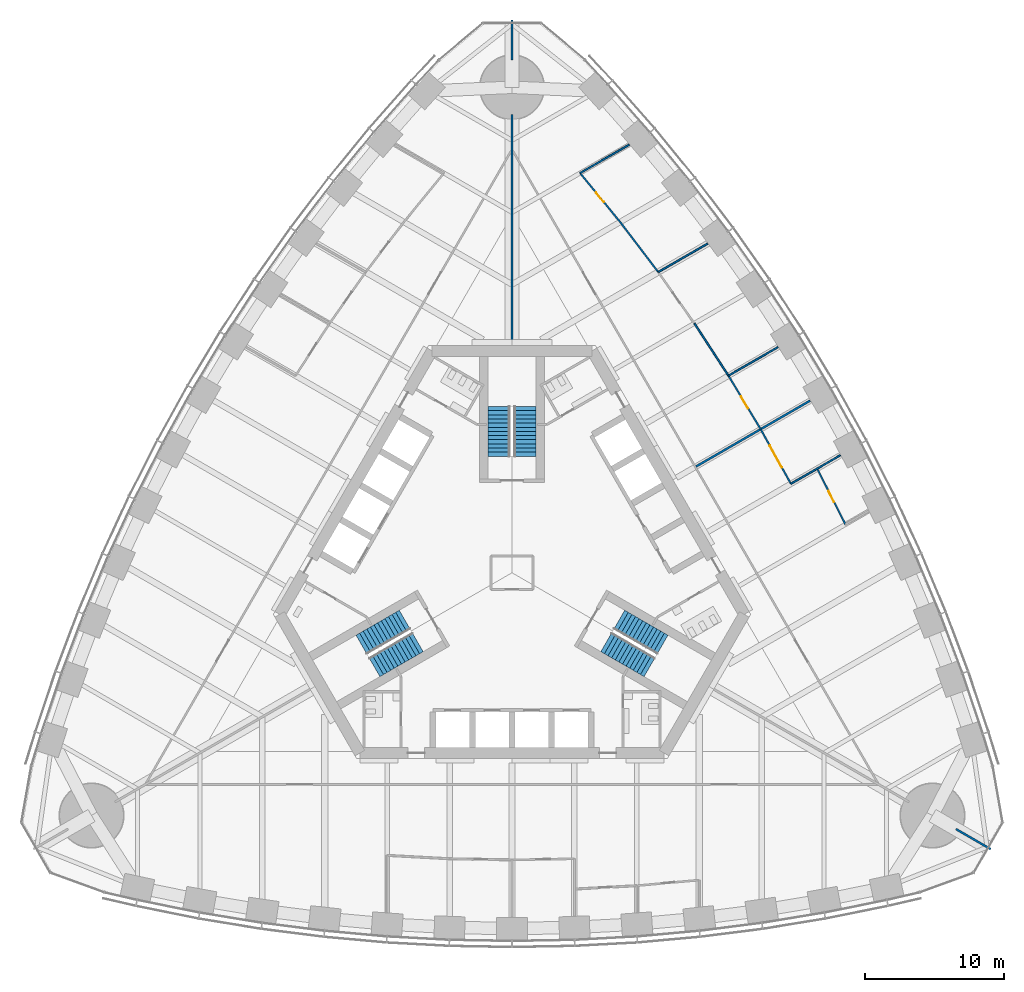
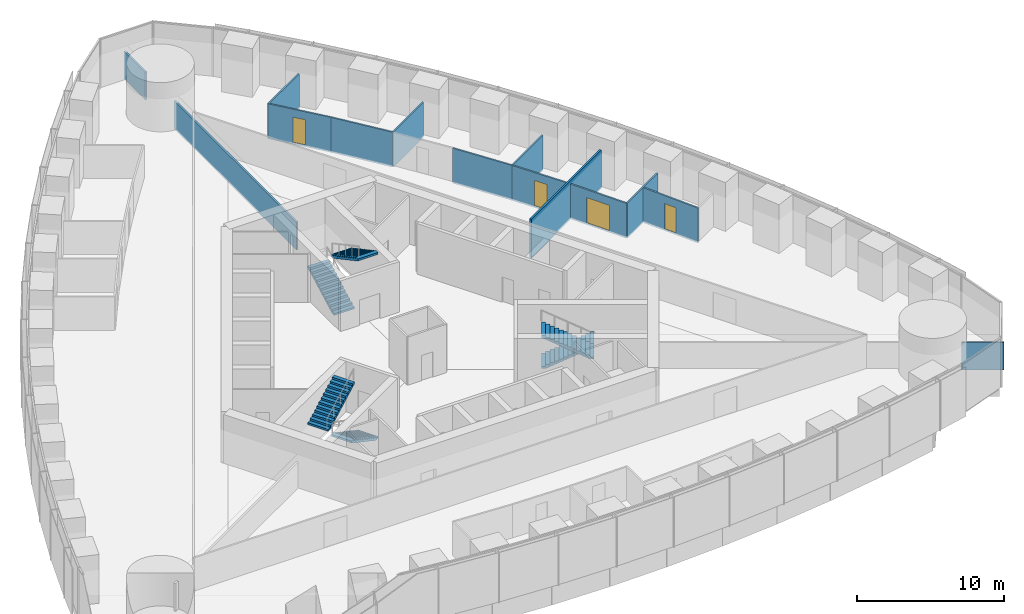
# One storey, part 13 of 18: 14 walls, 6 stair flights, 4 doors, 4 openings, 3 elements without a shape of their own.
"""IFC4 building model written with IfcOpenShell, lengths in metres."""

import ifcopenshell
import ifcopenshell.guid

model = None  # the IFC model being written
_history = None  # IfcOwnerHistory: only IFC2X3 demands one
_inside = {}  # id of a spatial element -> (the spatial element, [elements in it])
_under = {}  # id of a project, library or spatial element -> (it, [spatial elements below it])
_declared = {}  # id of a project -> (the project, [libraries it declares])
_typed = {}  # id of a type object -> (the type object, [elements of that type])
_made_of = {}  # id of a material, layer set ... -> (it, [elements and type objects made of it])


def new_model(schema):
    """Start an empty IFC model of exactly this schema.

    Asked for "IFC4X3", IfcOpenShell would pick the latest addendum, in which some entities
    have other attributes; the version numbers below select the first issue.
    IFC2X3 requires an IfcOwnerHistory on every rooted entity: one is made here for all.
    """
    global model, _history
    if schema == "IFC4X3":
        model = ifcopenshell.file(schema_version=(4, 3, 0, 0))
    else:
        model = ifcopenshell.file(schema=schema)
    _inside.clear()
    _under.clear()
    _declared.clear()
    _typed.clear()
    _made_of.clear()
    _history = None
    if model.schema == "IFC2X3":
        org = make("IfcOrganization", Name="unknown")
        user = make(
            "IfcPersonAndOrganization",
            ThePerson=make("IfcPerson", FamilyName="unknown"),
            TheOrganization=org,
        )
        app = make(
            "IfcApplication",
            ApplicationDeveloper=org,
            Version="unknown",
            ApplicationFullName="unknown",
            ApplicationIdentifier="unknown",
        )
        _history = make(
            "IfcOwnerHistory",
            OwningUser=user,
            OwningApplication=app,
            ChangeAction="ADDED",
            CreationDate=0,
        )
    return model


def make(cls, **values):
    """One entity of the class cls with the attributes given. An attribute that is None is left unset."""
    return model.create_entity(
        cls, **{name: value for name, value in values.items() if value is not None}
    )


def rooted(cls, **values):
    """An entity with a GlobalId (a new one), such as an element, a storey or a relation."""
    return make(cls, GlobalId=ifcopenshell.guid.new(), OwnerHistory=_history, **values)


def si_unit(unit_type, name, prefix=None):
    """IfcSIUnit, for example si_unit("LENGTHUNIT", "METRE", prefix="MILLI")."""
    return make("IfcSIUnit", UnitType=unit_type, Prefix=prefix, Name=name)


def assignment(units):
    """IfcUnitAssignment: the units of a project."""
    return None if units is None else make("IfcUnitAssignment", Units=units)


def point(xyz):
    """IfcCartesianPoint."""
    return None if xyz is None else make("IfcCartesianPoint", Coordinates=xyz)


def direction(xyz):
    """IfcDirection."""
    return None if xyz is None else make("IfcDirection", DirectionRatios=xyz)


def frame(location, z_axis=None, x_axis=None):
    """IfcAxis2Placement3D, a coordinate frame: its origin and axes. An axis left out is left unset."""
    return make(
        "IfcAxis2Placement3D",
        Location=point(location),
        Axis=direction(z_axis),
        RefDirection=direction(x_axis),
    )


def frame_2d(location, x_axis=None):
    """IfcAxis2Placement2D, a coordinate frame in the plane: its origin and x axis."""
    return make(
        "IfcAxis2Placement2D", Location=point(location), RefDirection=direction(x_axis)
    )


def origin():
    """The frame at (0, 0, 0) with its axes left unset."""
    return frame((0.0, 0.0, 0.0))


def place(relative_to, where):
    """IfcLocalPlacement: puts the frame where relative to a parent placement (None: the world)."""
    return make(
        "IfcLocalPlacement", PlacementRelTo=relative_to, RelativePlacement=where
    )


def context(
    kind, dimensions, precision=None, world=None, true_north=None, identifier=None
):
    """IfcGeometricRepresentationContext, for example the 3D "Model" context."""
    return make(
        "IfcGeometricRepresentationContext",
        ContextIdentifier=identifier,
        ContextType=kind,
        CoordinateSpaceDimension=dimensions,
        Precision=precision,
        WorldCoordinateSystem=world,
        TrueNorth=true_north,
    )


def subcontext(parent, identifier, kind, view, scale=None):
    """IfcGeometricRepresentationSubContext, for example "Body" below "Model"."""
    return make(
        "IfcGeometricRepresentationSubContext",
        ContextIdentifier=identifier,
        ContextType=kind,
        ParentContext=parent,
        TargetScale=scale,
        TargetView=view,
    )


def project(units=None, contexts=None):
    """IfcProject with its units and contexts."""
    return rooted(
        "IfcProject",
        Name="project",
        RepresentationContexts=contexts,
        UnitsInContext=assignment(units),
    )


def spatial(cls, under=None, at=None, **own):
    """A site, building, storey or space (cls), placed at a placement, below another one or the project."""
    s = rooted(cls, ObjectPlacement=at, **own)
    if under is not None:
        _under.setdefault(under.id(), (under, []))[1].append(s)
    return s


def polyline(points):
    """IfcPolyline through the points."""
    return make("IfcPolyline", Points=[point(p) for p in points])


def profile(cls, at=None, kind="AREA", **sizes):
    """A parametric profile (cls). Its sizes go by their IFC names, for example OverallWidth=200.0."""
    return make(cls, ProfileType=kind, Position=at, **sizes)


def rectangle(**sizes):
    """IfcRectangleProfileDef."""
    return profile("IfcRectangleProfileDef", **sizes)


def outline(outer, holes=None, kind="AREA"):
    """IfcArbitraryClosedProfileDef: a profile drawn as a closed curve; with holes, ...WithVoids."""
    if holes is None:
        return make("IfcArbitraryClosedProfileDef", ProfileType=kind, OuterCurve=outer)
    return make(
        "IfcArbitraryProfileDefWithVoids",
        ProfileType=kind,
        OuterCurve=outer,
        InnerCurves=holes,
    )


def extrude(swept, where, along, depth):
    """IfcExtrudedAreaSolid: the profile swept, set in the frame where, extruded along a direction by depth."""
    return make(
        "IfcExtrudedAreaSolid",
        SweptArea=swept,
        Position=where,
        ExtrudedDirection=direction(along),
        Depth=depth,
    )


def shape(context_of_items, identifier, shape_type, items):
    """IfcShapeRepresentation: the items that make up one representation, for example the "Body"."""
    return make(
        "IfcShapeRepresentation",
        ContextOfItems=context_of_items,
        RepresentationIdentifier=identifier,
        RepresentationType=shape_type,
        Items=items,
    )


def material(Name=None, Category=None):
    """IfcMaterial."""
    return make("IfcMaterial", Name=Name, Category=Category)


def layer(
    of_material, thickness, ventilated=None, Name=None, Category=None, Priority=None
):
    """IfcMaterialLayer: one layer of a wall or slab, of a material (None: an air gap)."""
    return make(
        "IfcMaterialLayer",
        Material=of_material,
        LayerThickness=thickness,
        IsVentilated=ventilated,
        Name=Name,
        Category=Category,
        Priority=Priority,
    )


def layer_set(layers, Name=None):
    """IfcMaterialLayerSet."""
    return make("IfcMaterialLayerSet", MaterialLayers=layers, LayerSetName=Name)


def made_of(thing, what):
    """Note that an element or type object is made of a material, layer set ...; save() writes the relation."""
    if what is not None:
        _made_of.setdefault(what.id(), (what, []))[1].append(thing)
    return thing


def type_object(cls, material=None, **own):
    """A type object (cls), such as IfcWallType, which elements share."""
    return made_of(rooted(cls, **own), material)


def element(
    cls,
    number,
    at=None,
    inside=None,
    cuts=None,
    type_object=None,
    material=None,
    context=None,
    identifier="Body",
    shape_type=None,
    held_by="IfcProductDefinitionShape",
    body=None,
    shapes=None,
    **own,
):
    """One element of the class cls, such as IfcWall. Its Tag is "e" and its number.

    at: its placement. inside: the storey or other place that contains it. cuts: it is an
    opening in that element (IfcRelVoidsElement). A single representation is given by context,
    identifier, shape_type and body (its items); several are given by shapes. held_by: the class
    of the entity that holds the representations. save() writes the other relations.
    """
    e = rooted(cls, Tag="e%d" % number, ObjectPlacement=at, **own)
    if body is not None:
        shapes = [shape(context, identifier, shape_type, body)]
    if shapes is not None:
        e.Representation = make(held_by, Representations=shapes)
    if inside is not None:
        _inside.setdefault(inside.id(), (inside, []))[1].append(e)
    if cuts is not None:
        rooted(
            "IfcRelVoidsElement", RelatingBuildingElement=cuts, RelatedOpeningElement=e
        )
    if type_object is not None:
        _typed.setdefault(type_object.id(), (type_object, []))[1].append(e)
    return made_of(e, material)


def fill(opening, filler):
    """IfcRelFillsElement: the door or window that sits in an opening."""
    return rooted(
        "IfcRelFillsElement",
        RelatingOpeningElement=opening,
        RelatedBuildingElement=filler,
    )


def aggregate(whole, parts):
    """IfcRelAggregates: a whole, such as a stair, and the parts it consists of."""
    return rooted("IfcRelAggregates", RelatingObject=whole, RelatedObjects=parts)


def save(model, path):
    """Write the relations noted so far, then the file.

    IfcRelAggregates (storeys below a building ...), IfcRelContainedInSpatialStructure (elements
    in a storey), IfcRelDefinesByType, IfcRelAssociatesMaterial and IfcRelDeclares: one each for
    every whole, place, type object, material and project.
    """
    for whole, parts in _under.values():
        aggregate(whole, parts)
    for where, things in _inside.values():
        rooted(
            "IfcRelContainedInSpatialStructure",
            RelatedElements=things,
            RelatingStructure=where,
        )
    for kind, things in _typed.values():
        rooted("IfcRelDefinesByType", RelatedObjects=things, RelatingType=kind)
    for what, things in _made_of.values():
        rooted("IfcRelAssociatesMaterial", RelatedObjects=things, RelatingMaterial=what)
    for by, libraries in _declared.values():
        rooted("IfcRelDeclares", RelatingContext=by, RelatedDefinitions=libraries)
    model.write(path)


model = new_model("IFC4")

# Units and contexts
model_context = context("Model", 3, precision=1e-05, world=origin(), true_north=direction((0.0, 1.0)))
body_context = subcontext(model_context, "Body", "Model", "MODEL_VIEW")
ifc_project = project(units=[si_unit("LENGTHUNIT", "METRE"), si_unit("AREAUNIT", "SQUARE_METRE"), si_unit("VOLUMEUNIT", "CUBIC_METRE"), si_unit("PLANEANGLEUNIT", "RADIAN"), si_unit("MASSUNIT", "GRAM", prefix="KILO")], contexts=[model_context])

# Site, building, storey
site_placement = place(None, origin())
site = spatial("IfcSite", under=ifc_project, at=site_placement, CompositionType="ELEMENT")
building_placement = place(site_placement, origin())
building = spatial("IfcBuilding", under=site, at=building_placement, Name="Trefoil Bronze Tower", CompositionType="ELEMENT")
storey_placement = place(building_placement, frame((0.0, 0.0, 115.699951171875)))
storey = spatial("IfcBuildingStorey", under=building, at=storey_placement, Name="L26", CompositionType="ELEMENT", Elevation=115.699951171875)

# Wall, opening, door
ifc_material_1 = material(Name="Glazed partition", Category="glass")
ifc_layer_1 = layer(ifc_material_1, 0.1201171875)
ifc_layer_set_1 = layer_set([ifc_layer_1], Name="Glazed partition 120")
wall_type_1 = type_object("IfcWallType", Name="Glazed partition 120", PredefinedType="PARTITIONING", material=ifc_layer_set_1)
wall_1_placement = place(storey_placement, frame((17.926513671875, 10.349853515625, 0.0), z_axis=(0.0, 0.0, 1.0), x_axis=(-0.515548366618, 0.856860479703, 0.0)))
wall_1 = element("IfcWall", 1, at=wall_1_placement, inside=storey, type_object=wall_type_1, Name="Partition F2 L26", PredefinedType="PARTITIONING", context=body_context, shape_type="SweptSolid", body=[
    extrude(rectangle(XDim=4.500732421875, YDim=0.1201171875, at=frame_2d((2.25048828125, 0.0))), origin(), (0.0, 0.0, 1.0), 2.900146484375),
])
opening_1_placement = place(wall_1_placement, frame((1.75, 0.0, 0.14990234375)))
opening_1 = element("IfcOpeningElement", 2, at=opening_1_placement, cuts=wall_1, Name="Opening D9", PredefinedType="OPENING", context=body_context, shape_type="SweptSolid", body=[
    extrude(rectangle(XDim=1.0, YDim=2.10009765625, at=frame_2d((0.5, 1.050048828125))), frame((0.0, 0.070068359375, 0.0), z_axis=(0.0, -1.0, 0.0), x_axis=(1.0, 0.0, 0.0)), (0.0, 0.0, 1.0), 0.14013671875),
])
ifc_material_2 = material(Name="Glazed timber door", Category="wood")
door_type_1 = type_object("IfcDoorType", Name="Meeting room door 1000", OperationType="SINGLE_SWING_LEFT", PredefinedType="DOOR", material=ifc_material_2)
door_1_placement = place(opening_1_placement, frame((1.0, 0.0, 0.0), z_axis=(0.0, 0.0, 1.0), x_axis=(-1.0, 0.0, 0.0)))
door_1 = element("IfcDoor", 3, at=door_1_placement, inside=storey, type_object=door_type_1, Name="Meeting room door F2 L26", OperationType="SINGLE_SWING_RIGHT", OverallHeight=2.10009765625, OverallWidth=1.0, PredefinedType="DOOR", context=body_context, shape_type="SweptSolid", body=[
    extrude(rectangle(XDim=1.0, YDim=2.10009765625, at=frame_2d((0.5, 1.050048828125))), frame((0.0, 0.02490234375, 0.0), z_axis=(0.0, -1.0, 0.0), x_axis=(1.0, 0.0, 0.0)), (0.0, 0.0, 1.0), 0.050048828125),
])
fill(opening_1, door_1)

# Wall
wall_2_placement = place(storey_placement, frame((10.542724609375, 21.67529296875, 0.0), z_axis=(0.0, 0.0, 1.0), x_axis=(-0.605274299339, 0.796016973789, 0.0)))
element("IfcWall", 4, at=wall_2_placement, inside=storey, type_object=wall_type_1, Name="Partition F2 L26", PredefinedType="PARTITIONING", context=body_context, shape_type="SweptSolid", body=[
    extrude(rectangle(XDim=4.5361328125, YDim=0.1201171875, at=frame_2d((2.26806640625, 0.0))), origin(), (0.0, 0.0, 1.0), 2.900146484375),
])

# Wall, opening, door
wall_3_placement = place(storey_placement, frame((7.797119140625, 25.2861328125, 0.0), z_axis=(0.0, 0.0, 1.0), x_axis=(-0.633843962561, 0.773460943503, 0.0)))
wall_3 = element("IfcWall", 5, at=wall_3_placement, inside=storey, type_object=wall_type_1, Name="Partition F2 L26", PredefinedType="PARTITIONING", context=body_context, shape_type="SweptSolid", body=[
    extrude(rectangle(XDim=4.560546875, YDim=0.1201171875, at=frame_2d((2.2802734375, 0.0))), origin(), (0.0, 0.0, 1.0), 2.900146484375),
])
opening_2_placement = place(wall_3_placement, frame((1.85009765625, 0.0, 0.14990234375)))
opening_2 = element("IfcOpeningElement", 6, at=opening_2_placement, cuts=wall_3, Name="Opening D8", PredefinedType="OPENING", context=body_context, shape_type="SweptSolid", body=[
    extrude(rectangle(XDim=0.89990234375, YDim=2.10009765625, at=frame_2d((0.449951171875, 1.050048828125))), frame((0.0, 0.070068359375, 0.0), z_axis=(0.0, -1.0, 0.0), x_axis=(1.0, 0.0, 0.0)), (0.0, 0.0, 1.0), 0.14013671875),
])
ifc_material_3 = material(Name="Timber door", Category="wood")
door_type_2 = type_object("IfcDoorType", Name="Office door 900", OperationType="SINGLE_SWING_LEFT", PredefinedType="DOOR", material=ifc_material_3)
door_2_placement = place(opening_2_placement, frame((0.89990234375, 0.0, 0.0), z_axis=(0.0, 0.0, 1.0), x_axis=(-1.0, 0.0, 0.0)))
door_2 = element("IfcDoor", 7, at=door_2_placement, inside=storey, type_object=door_type_2, Name="Office door F2 L26", OperationType="SINGLE_SWING_LEFT", OverallHeight=2.10009765625, OverallWidth=0.89990234375, PredefinedType="DOOR", context=body_context, shape_type="SweptSolid", body=[
    extrude(rectangle(XDim=0.89990234375, YDim=2.10009765625, at=frame_2d((0.449951171875, 1.050048828125))), frame((0.0, 0.02490234375, 0.0), z_axis=(0.0, -1.0, 0.0), x_axis=(1.0, 0.0, 0.0)), (0.0, 0.0, 1.0), 0.050048828125),
])
fill(opening_2, door_2)

# Wall
wall_4_placement = place(storey_placement, frame((15.606201171875, 14.206298828125, 0.0), z_axis=(0.0, 0.0, 1.0), x_axis=(-0.546069464151, 0.837739900161, 0.0)))
element("IfcWall", 8, at=wall_4_placement, inside=storey, type_object=wall_type_1, Name="Partition F2 L26", PredefinedType="PARTITIONING", context=body_context, shape_type="SweptSolid", body=[
    extrude(rectangle(XDim=4.506591796875, YDim=0.1201171875, at=frame_2d((2.25341796875, 0.0))), origin(), (0.0, 0.0, 1.0), 2.900146484375),
])

# Wall, opening, door
wall_5_placement = place(storey_placement, frame((20.106201171875, 6.412109375, 0.0), z_axis=(0.0, 0.0, 1.0), x_axis=(-0.484292898211, 0.874905931368, 0.0)))
wall_5 = element("IfcWall", 9, at=wall_5_placement, inside=storey, type_object=wall_type_1, Name="Partition F2 L26", PredefinedType="PARTITIONING", context=body_context, shape_type="SweptSolid", body=[
    extrude(rectangle(XDim=4.500732421875, YDim=0.1201171875, at=frame_2d((2.25048828125, 0.0))), origin(), (0.0, 0.0, 1.0), 2.900146484375),
])
opening_3_placement = place(wall_5_placement, frame((1.35009765625, 0.0, 0.14990234375)))
opening_3 = element("IfcOpeningElement", 10, at=opening_3_placement, cuts=wall_5, Name="Opening D10", PredefinedType="OPENING", context=body_context, shape_type="SweptSolid", body=[
    extrude(rectangle(XDim=1.800048828125, YDim=2.10009765625, at=frame_2d((0.89990234375, 1.050048828125))), frame((0.0, 0.070068359375, 0.0), z_axis=(0.0, -1.0, 0.0), x_axis=(1.0, 0.0, 0.0)), (0.0, 0.0, 1.0), 0.14013671875),
])
ifc_material_4 = material(Name="Timber door", Category="wood")
door_type_3 = type_object("IfcDoorType", Name="Double door 1800", OperationType="DOUBLE_DOOR_SINGLE_SWING", PredefinedType="DOOR", material=ifc_material_4)
door_3_placement = place(opening_3_placement, frame((1.800048828125, 0.0, 0.0), z_axis=(0.0, 0.0, 1.0), x_axis=(-1.0, 0.0, 0.0)))
door_3 = element("IfcDoor", 11, at=door_3_placement, inside=storey, type_object=door_type_3, Name="Break room door F2 L26", OperationType="DOUBLE_DOOR_SINGLE_SWING", OverallHeight=2.10009765625, OverallWidth=1.800048828125, PredefinedType="DOOR", context=body_context, shape_type="SweptSolid", body=[
    extrude(rectangle(XDim=1.800048828125, YDim=2.10009765625, at=frame_2d((0.89990234375, 1.050048828125))), frame((0.0, 0.02490234375, 0.0), z_axis=(0.0, -1.0, 0.0), x_axis=(1.0, 0.0, 0.0)), (0.0, 0.0, 1.0), 0.050048828125),
])
fill(opening_3, door_3)

wall_6_placement = place(storey_placement, frame((24.037353515625, 3.48583984375, 0.0), z_axis=(0.0, 0.0, 1.0), x_axis=(-0.452428593635, 0.891800632239, 0.0)))
wall_6 = element("IfcWall", 12, at=wall_6_placement, inside=storey, type_object=wall_type_1, Name="Partition F2 L26", PredefinedType="PARTITIONING", context=body_context, shape_type="SweptSolid", body=[
    extrude(rectangle(XDim=4.50634765625, YDim=0.1201171875, at=frame_2d((2.253173828125, 0.0))), origin(), (0.0, 0.0, 1.0), 2.900146484375),
])
opening_4_placement = place(wall_6_placement, frame((1.800048828125, 0.0, 0.14990234375)))
opening_4 = element("IfcOpeningElement", 13, at=opening_4_placement, cuts=wall_6, Name="Opening D8", PredefinedType="OPENING", context=body_context, shape_type="SweptSolid", body=[
    extrude(rectangle(XDim=0.89990234375, YDim=2.10009765625, at=frame_2d((0.449951171875, 1.050048828125))), frame((0.0, 0.070068359375, 0.0), z_axis=(0.0, -1.0, 0.0), x_axis=(1.0, 0.0, 0.0)), (0.0, 0.0, 1.0), 0.14013671875),
])
door_4_placement = place(opening_4_placement, frame((0.89990234375, 0.0, 0.0), z_axis=(0.0, 0.0, 1.0), x_axis=(-1.0, 0.0, 0.0)))
door_4 = element("IfcDoor", 14, at=door_4_placement, inside=storey, type_object=door_type_2, Name="Print and store room door F2 L26", OperationType="SINGLE_SWING_RIGHT", OverallHeight=2.10009765625, OverallWidth=0.89990234375, PredefinedType="DOOR", context=body_context, shape_type="SweptSolid", body=[
    extrude(rectangle(XDim=0.89990234375, YDim=2.10009765625, at=frame_2d((0.449951171875, 1.050048828125))), frame((0.0, 0.02490234375, 0.0), z_axis=(0.0, -1.0, 0.0), x_axis=(1.0, 0.0, 0.0)), (0.0, 0.0, 1.0), 0.050048828125),
])
fill(opening_4, door_4)

# Walls
wall_7_placement = place(storey_placement, frame((10.542724609375, 21.67529296875, 0.0), z_axis=(0.0, 0.0, 1.0), x_axis=(0.866019409031, 0.500010383074, 0.0)))
element("IfcWall", 15, at=wall_7_placement, inside=storey, type_object=wall_type_1, Name="Partition F2 L26", PredefinedType="PARTITIONING", context=body_context, shape_type="SweptSolid", body=[
    extrude(rectangle(XDim=4.1103515625, YDim=0.1201171875, at=frame_2d((2.05517578125, 0.0))), origin(), (0.0, 0.0, 1.0), 2.900146484375),
])
wall_8_placement = place(storey_placement, frame((4.906494140625, 28.8134765625, 0.0), z_axis=(0.0, 0.0, 1.0), x_axis=(0.86601374377, 0.500020195194, 0.0)))
element("IfcWall", 16, at=wall_8_placement, inside=storey, type_object=wall_type_1, Name="Partition F2 L26", PredefinedType="PARTITIONING", context=body_context, shape_type="SweptSolid", body=[
    extrude(rectangle(XDim=4.093017578125, YDim=0.1201171875, at=frame_2d((2.04638671875, 0.0))), origin(), (0.0, 0.0, 1.0), 2.900146484375),
])
for number, where, z_axis, x_axis, name in (
    (17, (15.606201171875, 14.206298828125, 0.0), (0.0, 0.0, 1.0), (0.866016800201, 0.500014901547, 0.0), "Partition F2 L26"),
    (18, (20.106201171875, 6.412109375, 0.0), (0.0, 0.0, 1.0), (0.866016800201, 0.500014901547, 0.0), "Partition F2 L26"),
):
    element("IfcWall", number, at=place(storey_placement, frame(where, z_axis=z_axis, x_axis=x_axis)), inside=storey, type_object=wall_type_1, Name=name, PredefinedType="PARTITIONING", context=body_context, shape_type="SweptSolid", body=[
        extrude(rectangle(XDim=4.118896484375, YDim=0.1201171875, at=frame_2d((2.0595703125, 0.0))), origin(), (0.0, 0.0, 1.0), 2.900146484375),
    ])
ifc_material_5 = material(Name="Gypsum board on steel studs", Category="steel")
ifc_layer_2 = layer(ifc_material_5, 0.14990234375)
ifc_layer_set_2 = layer_set([ifc_layer_2], Name="Party wall 150")
wall_type_2 = type_object("IfcWallType", Name="Party wall 150", PredefinedType="PARTITIONING", material=ifc_layer_set_2)
wall_9_placement = place(storey_placement, frame((31.999755859375, -18.47509765625, 0.0), z_axis=(0.0, 0.0, 1.0), x_axis=(0.866042548026, -0.499970304126, 0.0)))
element("IfcWall", 19, at=wall_9_placement, inside=storey, type_object=wall_type_2, Name="Party wall K1 L26", PredefinedType="PARTITIONING", context=body_context, shape_type="SweptSolid", body=[
    extrude(rectangle(XDim=2.899169921875, YDim=0.14990234375, at=frame_2d((1.44970703125, 0.0))), origin(), (0.0, 0.0, 1.0), 2.300048828125),
])
wall_10_placement = place(storey_placement, frame((0.0, 16.39990234375, 0.0), z_axis=(0.0, 0.0, 1.0), x_axis=(0.0, 1.0, 0.0)))
element("IfcWall", 20, at=wall_10_placement, inside=storey, type_object=wall_type_2, Name="Party wall K2 L26", PredefinedType="PARTITIONING", context=body_context, shape_type="SweptSolid", body=[
    extrude(rectangle(XDim=16.650146484375, YDim=0.14990234375, at=frame_2d((8.3251953125, 0.0))), origin(), (0.0, 0.0, 1.0), 2.300048828125),
])
wall_11_placement = place(storey_placement, frame((0.0, 36.949951171875, 0.0), z_axis=(0.0, 0.0, 1.0), x_axis=(0.0, 1.0, 0.0)))
element("IfcWall", 21, at=wall_11_placement, inside=storey, type_object=wall_type_2, Name="Party wall K2 L26", PredefinedType="PARTITIONING", context=body_context, shape_type="SweptSolid", body=[
    extrude(rectangle(XDim=2.8994140625, YDim=0.14990234375, at=frame_2d((1.44970703125, 0.0))), origin(), (0.0, 0.0, 1.0), 2.300048828125),
])
wall_12_placement = place(storey_placement, frame((13.267578125, 7.659912109375, 0.0), z_axis=(0.0, 0.0, 1.0), x_axis=(0.866013963754, 0.500019814191, 0.0)))
element("IfcWall", 22, at=wall_12_placement, inside=storey, type_object=wall_type_2, Name="Demising wall F2 L26", PredefinedType="PARTITIONING", context=body_context, shape_type="SweptSolid", body=[
    extrude(rectangle(XDim=9.49951171875, YDim=0.14990234375, at=frame_2d((4.749755859375, 0.0))), origin(), (0.0, 0.0, 1.0), 3.199951171875),
])

# Stair, stair flights
ifc_material_6 = material(Name="Precast concrete B80", Category="concrete")
stair_type = type_object("IfcStairType", Name="Exit stair 26 risers", PredefinedType="HALF_TURN_STAIR", material=ifc_material_6)
stair_1_placement = place(storey_placement, origin())
stair_1 = element("IfcStair", 23, at=stair_1_placement, inside=storey, type_object=stair_type, Name="Stair ST1 L26", PredefinedType="HALF_TURN_STAIR")
ifc_material_7 = material(Name="Precast concrete B80", Category="concrete")
stair_flight_type = type_object("IfcStairFlightType", Name="Stair flight 1600", PredefinedType="STRAIGHT", material=ifc_material_7)
stair_flight_1_placement = place(storey_placement, frame((7.728515625, -3.39404296875, 0.0), z_axis=(0.0, 0.0, 1.0), x_axis=(0.866025403784, -0.5, 0.0)))
stair_flight_1 = element("IfcStairFlight", 24, at=stair_flight_1_placement, type_object=stair_flight_type, Name="ST1 flight 1", NumberOfRisers=13, NumberOfTreads=12, PredefinedType="STRAIGHT", RiserHeight=0.161538462, TreadLength=0.3, context=body_context, shape_type="SweptSolid", body=[
    extrude(outline(polyline([(0.0, 0.0), (0.0, 0.16162109375), (0.300048828125, 0.16162109375), (0.300048828125, 0.322998046875), (0.60009765625, 0.322998046875), (0.60009765625, 0.484619140625), (0.89990234375, 0.484619140625), (0.89990234375, 0.646240234375), (1.199951171875, 0.646240234375), (1.199951171875, 0.8076171875), (1.5, 0.8076171875), (1.5, 0.96923828125), (1.800048828125, 0.96923828125), (1.800048828125, 1.130859375), (2.10009765625, 1.130859375), (2.10009765625, 1.292236328125), (2.39990234375, 1.292236328125), (2.39990234375, 1.453857421875), (2.699951171875, 1.453857421875), (2.699951171875, 1.615478515625), (3.0, 1.615478515625), (3.0, 1.77685546875), (3.300048828125, 1.77685546875), (3.300048828125, 1.9384765625), (3.60009765625, 1.9384765625), (3.60009765625, 2.10009765625), (3.60009765625, 1.768310546875), (0.316162109375, 0.0), (0.0, 0.0)])), frame((0.0, 0.800048828125, 0.0), z_axis=(0.0, -1.0, 0.0), x_axis=(1.0, 0.0, 0.0)), (0.0, 0.0, 1.0), 1.60009765625),
])
stair_flight_2_placement = place(storey_placement, frame((9.921142578125, -6.796142578125, 2.10009765625), z_axis=(0.0, 0.0, 1.0), x_axis=(-0.866025403784, 0.5, 0.0)))
stair_flight_2 = element("IfcStairFlight", 25, at=stair_flight_2_placement, type_object=stair_flight_type, Name="ST1 flight 2", NumberOfRisers=13, NumberOfTreads=12, PredefinedType="STRAIGHT", RiserHeight=0.161538462, TreadLength=0.3, context=body_context, shape_type="SweptSolid", body=[
    extrude(outline(polyline([(0.0, 0.0), (0.0, 0.16162109375), (0.300048828125, 0.16162109375), (0.300048828125, 0.322998046875), (0.60009765625, 0.322998046875), (0.60009765625, 0.484619140625), (0.89990234375, 0.484619140625), (0.89990234375, 0.646240234375), (1.199951171875, 0.646240234375), (1.199951171875, 0.8076171875), (1.5, 0.8076171875), (1.5, 0.96923828125), (1.800048828125, 0.96923828125), (1.800048828125, 1.130859375), (2.10009765625, 1.130859375), (2.10009765625, 1.292236328125), (2.39990234375, 1.292236328125), (2.39990234375, 1.453857421875), (2.699951171875, 1.453857421875), (2.699951171875, 1.615478515625), (3.0, 1.615478515625), (3.0, 1.77685546875), (3.300048828125, 1.77685546875), (3.300048828125, 1.9384765625), (3.60009765625, 1.9384765625), (3.60009765625, 2.10009765625), (3.60009765625, 1.768310546875), (0.316162109375, 0.0), (0.0, 0.0)])), frame((0.0, 0.800048828125, 0.0), z_axis=(0.0, -1.0, 0.0), x_axis=(1.0, 0.0, 0.0)), (0.0, 0.0, 1.0), 1.60009765625),
])
aggregate(stair_1, [stair_flight_1, stair_flight_2])

stair_2_placement = place(storey_placement, origin())
stair_2 = element("IfcStair", 26, at=stair_2_placement, inside=storey, type_object=stair_type, Name="Stair ST2 L26", PredefinedType="HALF_TURN_STAIR")
stair_flight_3_placement = place(storey_placement, frame((-0.925048828125, 8.389892578125, 0.0), z_axis=(0.0, 0.0, 1.0), x_axis=(0.0, 1.0, 0.0)))
stair_flight_3 = element("IfcStairFlight", 27, at=stair_flight_3_placement, type_object=stair_flight_type, Name="ST2 flight 1", NumberOfRisers=13, NumberOfTreads=12, PredefinedType="STRAIGHT", RiserHeight=0.161538462, TreadLength=0.3, context=body_context, shape_type="SweptSolid", body=[
    extrude(outline(polyline([(0.0, 0.0), (0.0, 0.16162109375), (0.300048828125, 0.16162109375), (0.300048828125, 0.322998046875), (0.60009765625, 0.322998046875), (0.60009765625, 0.484619140625), (0.89990234375, 0.484619140625), (0.89990234375, 0.646240234375), (1.199951171875, 0.646240234375), (1.199951171875, 0.8076171875), (1.5, 0.8076171875), (1.5, 0.96923828125), (1.800048828125, 0.96923828125), (1.800048828125, 1.130859375), (2.10009765625, 1.130859375), (2.10009765625, 1.292236328125), (2.39990234375, 1.292236328125), (2.39990234375, 1.453857421875), (2.699951171875, 1.453857421875), (2.699951171875, 1.615478515625), (3.0, 1.615478515625), (3.0, 1.77685546875), (3.300048828125, 1.77685546875), (3.300048828125, 1.9384765625), (3.60009765625, 1.9384765625), (3.60009765625, 2.10009765625), (3.60009765625, 1.768310546875), (0.316162109375, 0.0), (0.0, 0.0)])), frame((0.0, 0.800048828125, 0.0), z_axis=(0.0, -1.0, 0.0), x_axis=(1.0, 0.0, 0.0)), (0.0, 0.0, 1.0), 1.60009765625),
])
stair_flight_4_placement = place(storey_placement, frame((0.925048828125, 11.989990234375, 2.10009765625), z_axis=(0.0, 0.0, 1.0), x_axis=(0.0, -1.0, 0.0)))
stair_flight_4 = element("IfcStairFlight", 28, at=stair_flight_4_placement, type_object=stair_flight_type, Name="ST2 flight 2", NumberOfRisers=13, NumberOfTreads=12, PredefinedType="STRAIGHT", RiserHeight=0.161538462, TreadLength=0.3, context=body_context, shape_type="SweptSolid", body=[
    extrude(outline(polyline([(0.0, 0.0), (0.0, 0.16162109375), (0.300048828125, 0.16162109375), (0.300048828125, 0.322998046875), (0.60009765625, 0.322998046875), (0.60009765625, 0.484619140625), (0.89990234375, 0.484619140625), (0.89990234375, 0.646240234375), (1.199951171875, 0.646240234375), (1.199951171875, 0.8076171875), (1.5, 0.8076171875), (1.5, 0.96923828125), (1.800048828125, 0.96923828125), (1.800048828125, 1.130859375), (2.10009765625, 1.130859375), (2.10009765625, 1.292236328125), (2.39990234375, 1.292236328125), (2.39990234375, 1.453857421875), (2.699951171875, 1.453857421875), (2.699951171875, 1.615478515625), (3.0, 1.615478515625), (3.0, 1.77685546875), (3.300048828125, 1.77685546875), (3.300048828125, 1.9384765625), (3.60009765625, 1.9384765625), (3.60009765625, 2.10009765625), (3.60009765625, 1.768310546875), (0.316162109375, 0.0), (0.0, 0.0)])), frame((0.0, 0.800048828125, 0.0), z_axis=(0.0, -1.0, 0.0), x_axis=(1.0, 0.0, 0.0)), (0.0, 0.0, 1.0), 1.60009765625),
])
aggregate(stair_2, [stair_flight_3, stair_flight_4])

stair_3_placement = place(storey_placement, origin())
stair_3 = element("IfcStair", 29, at=stair_3_placement, inside=storey, type_object=stair_type, Name="Stair ST3 L26", PredefinedType="HALF_TURN_STAIR")
stair_flight_5_placement = place(storey_placement, frame((-6.803466796875, -4.99609375, 0.0), z_axis=(0.0, 0.0, 1.0), x_axis=(-0.866025403784, -0.5, 0.0)))
stair_flight_5 = element("IfcStairFlight", 30, at=stair_flight_5_placement, type_object=stair_flight_type, Name="ST3 flight 1", NumberOfRisers=13, NumberOfTreads=12, PredefinedType="STRAIGHT", RiserHeight=0.161538462, TreadLength=0.3, context=body_context, shape_type="SweptSolid", body=[
    extrude(outline(polyline([(0.0, 0.0), (0.0, 0.16162109375), (0.300048828125, 0.16162109375), (0.300048828125, 0.322998046875), (0.60009765625, 0.322998046875), (0.60009765625, 0.484619140625), (0.89990234375, 0.484619140625), (0.89990234375, 0.646240234375), (1.199951171875, 0.646240234375), (1.199951171875, 0.8076171875), (1.5, 0.8076171875), (1.5, 0.96923828125), (1.800048828125, 0.96923828125), (1.800048828125, 1.130859375), (2.10009765625, 1.130859375), (2.10009765625, 1.292236328125), (2.39990234375, 1.292236328125), (2.39990234375, 1.453857421875), (2.699951171875, 1.453857421875), (2.699951171875, 1.615478515625), (3.0, 1.615478515625), (3.0, 1.77685546875), (3.300048828125, 1.77685546875), (3.300048828125, 1.9384765625), (3.60009765625, 1.9384765625), (3.60009765625, 2.10009765625), (3.60009765625, 1.768310546875), (0.316162109375, 0.0), (0.0, 0.0)])), frame((0.0, 0.800048828125, 0.0), z_axis=(0.0, -1.0, 0.0), x_axis=(1.0, 0.0, 0.0)), (0.0, 0.0, 1.0), 1.60009765625),
])
stair_flight_6_placement = place(storey_placement, frame((-10.84619140625, -5.19384765625, 2.10009765625), z_axis=(0.0, 0.0, 1.0), x_axis=(0.866025403784, 0.5, 0.0)))
stair_flight_6 = element("IfcStairFlight", 31, at=stair_flight_6_placement, type_object=stair_flight_type, Name="ST3 flight 2", NumberOfRisers=13, NumberOfTreads=12, PredefinedType="STRAIGHT", RiserHeight=0.161538462, TreadLength=0.3, context=body_context, shape_type="SweptSolid", body=[
    extrude(outline(polyline([(0.0, 0.0), (0.0, 0.16162109375), (0.300048828125, 0.16162109375), (0.300048828125, 0.322998046875), (0.60009765625, 0.322998046875), (0.60009765625, 0.484619140625), (0.89990234375, 0.484619140625), (0.89990234375, 0.646240234375), (1.199951171875, 0.646240234375), (1.199951171875, 0.8076171875), (1.5, 0.8076171875), (1.5, 0.96923828125), (1.800048828125, 0.96923828125), (1.800048828125, 1.130859375), (2.10009765625, 1.130859375), (2.10009765625, 1.292236328125), (2.39990234375, 1.292236328125), (2.39990234375, 1.453857421875), (2.699951171875, 1.453857421875), (2.699951171875, 1.615478515625), (3.0, 1.615478515625), (3.0, 1.77685546875), (3.300048828125, 1.77685546875), (3.300048828125, 1.9384765625), (3.60009765625, 1.9384765625), (3.60009765625, 2.10009765625), (3.60009765625, 1.768310546875), (0.316162109375, 0.0), (0.0, 0.0)])), frame((0.0, 0.800048828125, 0.0), z_axis=(0.0, -1.0, 0.0), x_axis=(1.0, 0.0, 0.0)), (0.0, 0.0, 1.0), 1.60009765625),
])
aggregate(stair_3, [stair_flight_5, stair_flight_6])

save(model, "model.ifc")
